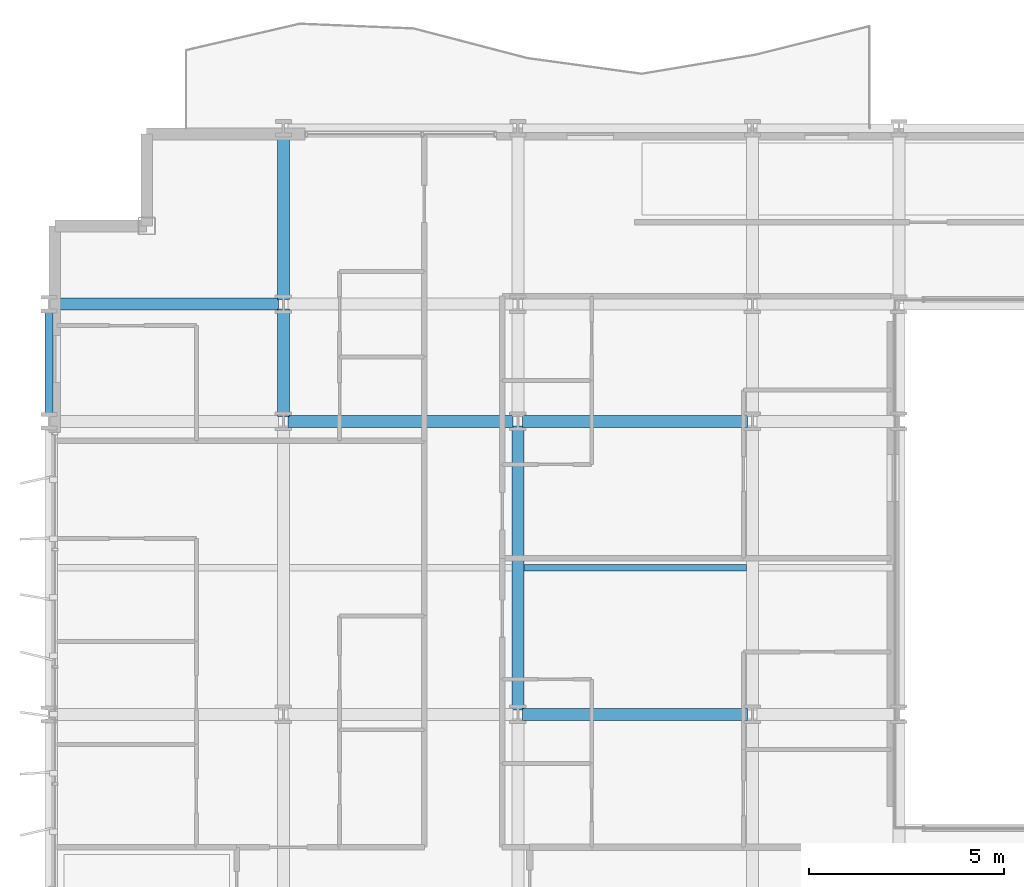
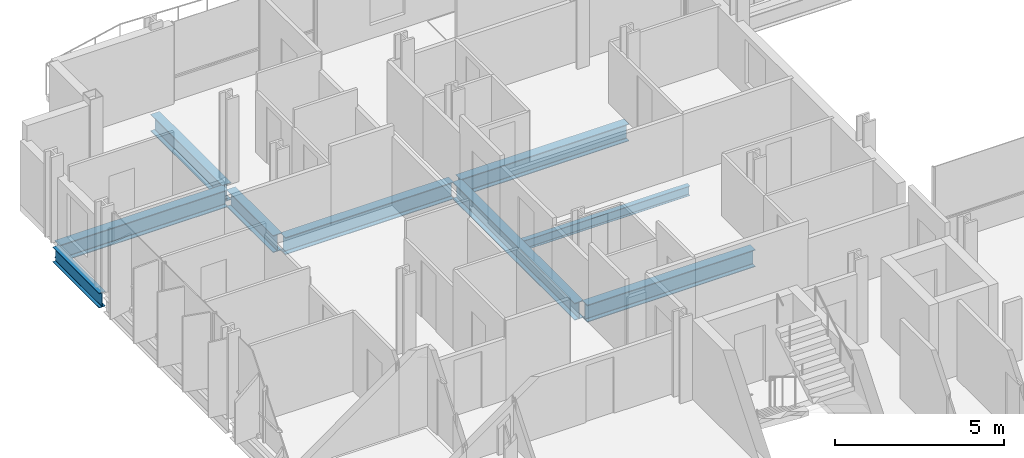
# One storey, part 6 of 38: 9 beams.
"""IFC4 building model written with IfcOpenShell, lengths in metres."""

from ifc_helpers import new_model, si_unit, direction, frame, origin, origin_2d, place, context, subcontext, project, spatial, i_section, extrude, material, material_profile, profile_set, type_object, element, save


model = new_model("IFC4")

# Units and contexts
model_context = context("Model", 3, precision=1e-05, world=origin(), true_north=direction((0.0, 1.0)))
body_context = subcontext(model_context, "Body", "Model", "MODEL_VIEW")
ifc_project = project(units=[si_unit("LENGTHUNIT", "METRE"), si_unit("AREAUNIT", "SQUARE_METRE"), si_unit("VOLUMEUNIT", "CUBIC_METRE"), si_unit("PLANEANGLEUNIT", "RADIAN"), si_unit("MASSUNIT", "GRAM", prefix="KILO")], contexts=[model_context])

# Site, building, storey
site_placement = place(None, origin())
site = spatial("IfcSite", under=ifc_project, at=site_placement, CompositionType="ELEMENT")
building_placement = place(site_placement, origin())
building = spatial("IfcBuilding", under=site, at=building_placement, Name="Brevholm Reach", CompositionType="ELEMENT")
storey_placement = place(building_placement, frame((0.0, 0.0, 46.60009765625)))
storey = spatial("IfcBuildingStorey", under=building, at=storey_placement, Name="L12", CompositionType="ELEMENT", Elevation=46.60009765625)

# Beams
ifc_material_1 = material(Name="Structural Steel S355J2", Category="steel")
ifc_material_profile_1 = material_profile(ifc_material_1, i_section(OverallWidth=0.17138671875, OverallDepth=0.35498046875, WebThickness=0.00732421875, FlangeThickness=0.011474609375, FilletRadius=0.01025390625, at=origin_2d()), Name="UKB 356x171x51")
ifc_profile_set_1 = profile_set([ifc_material_profile_1], Name="Structural Steel S355J2")
beam_type_1 = type_object("IfcBeamType", Name="BM-B356", PredefinedType="BEAM", material=ifc_profile_set_1)
beam_1_placement = place(storey_placement, frame((12.153564453125, 19.75, -0.40771484375), z_axis=(1.0, 0.0, 0.0), x_axis=(0.0, 1.0, 0.0)))
element("IfcBeam", 1, at=beam_1_placement, inside=storey, type_object=beam_type_1, Name="L12 Composite Secondary Floor Beam", PredefinedType="BEAM", context=body_context, shape_type="SweptSolid", body=[
    extrude(i_section(OverallWidth=0.17138671875, OverallDepth=0.35498046875, WebThickness=0.00732421875, FlangeThickness=0.011474609375, FilletRadius=0.01025390625, at=origin_2d()), origin(), (0.0, 0.0, 1.0), 5.69287109375),
])
ifc_material_2 = material(Name="Structural Steel S355J2", Category="steel")
ifc_material_profile_2 = material_profile(ifc_material_2, i_section(OverallWidth=0.210693359375, OverallDepth=0.53955078125, WebThickness=0.01171875, FlangeThickness=0.018798828125, FilletRadius=0.0126953125, at=origin_2d()), Name="UKB 533x210x109")
ifc_profile_set_2 = profile_set([ifc_material_profile_2], Name="Structural Steel S355J2")
beam_type_2 = type_object("IfcBeamType", Name="BM-SP539", PredefinedType="SPANDREL", material=ifc_profile_set_2)
beam_2_placement = place(storey_placement, frame((0.0, 23.6201171875, -0.499755859375), z_axis=(0.0, 1.0, 0.0), x_axis=(-1.0, 0.0, 0.0)))
element("IfcBeam", 2, at=beam_2_placement, inside=storey, type_object=beam_type_2, Name="L12 SP-01B Framing Beam", PredefinedType="SPANDREL", context=body_context, shape_type="SweptSolid", body=[
    extrude(i_section(OverallWidth=0.210693359375, OverallDepth=0.53955078125, WebThickness=0.01171875, FlangeThickness=0.018798828125, FilletRadius=0.0126953125, at=origin_2d()), origin(), (0.0, 0.0, 1.0), 2.759765625),
])
ifc_material_3 = material(Name="Structural Steel S355J2", Category="steel")
ifc_material_profile_3 = material_profile(ifc_material_3, i_section(OverallWidth=0.30712890625, OverallDepth=0.6201171875, WebThickness=0.01416015625, FlangeThickness=0.023681640625, FilletRadius=0.0166015625, at=origin_2d()), Name="UKB 610x305x179")
ifc_profile_set_3 = profile_set([ifc_material_profile_3], Name="Structural Steel S355J2")
beam_type_3 = type_object("IfcBeamType", Name="BM-UKB610H", PredefinedType="USERDEFINED", material=ifc_profile_set_3)
for number, where, z_axis, x_axis, name in (
    (3, (12.1201171875, 16.0, -0.540283203125), (1.0, 0.0, 0.0), (0.0, 1.0, 0.0), "L12 G-06 Framing Beam"),
    (4, (6.1201171875, 23.5, -0.540283203125), (1.0, 0.0, 0.0), (0.0, 1.0, 0.0), "L12 G-06 Framing Beam"),
    (5, (12.1201171875, 23.5, -0.540283203125), (1.0, 0.0, 0.0), (0.0, 1.0, 0.0), "L12 G-06 Framing Beam"),
    (6, (0.1201171875, 26.5, -0.540283203125), (1.0, 0.0, 0.0), (0.0, 1.0, 0.0), "L12 G-06 Framing Beam"),
):
    element("IfcBeam", number, at=place(storey_placement, frame(where, z_axis=z_axis, x_axis=x_axis)), inside=storey, type_object=beam_type_3, Name=name, ObjectType="GIRDER", PredefinedType="USERDEFINED", context=body_context, shape_type="SweptSolid", body=[
        extrude(i_section(OverallWidth=0.30712890625, OverallDepth=0.6201171875, WebThickness=0.01416015625, FlangeThickness=0.023681640625, FilletRadius=0.0166015625, at=origin_2d()), origin(), (0.0, 0.0, 1.0), 5.759765625),
    ])
beam_3_placement = place(storey_placement, frame((6.0, 23.6201171875, -0.540283203125), z_axis=(0.0, 1.0, 0.0), x_axis=(-1.0, 0.0, 0.0)))
element("IfcBeam", 7, at=beam_3_placement, inside=storey, type_object=beam_type_3, Name="L12 G-06 Framing Beam", ObjectType="GIRDER", PredefinedType="USERDEFINED", context=body_context, shape_type="SweptSolid", body=[
    extrude(i_section(OverallWidth=0.30712890625, OverallDepth=0.6201171875, WebThickness=0.01416015625, FlangeThickness=0.023681640625, FilletRadius=0.0166015625, at=origin_2d()), origin(), (0.0, 0.0, 1.0), 2.759765625),
])
beam_4_placement = place(storey_placement, frame((6.0, 26.6201171875, -0.540283203125), z_axis=(0.0, 1.0, 0.0), x_axis=(-1.0, 0.0, 0.0)))
element("IfcBeam", 8, at=beam_4_placement, inside=storey, type_object=beam_type_3, Name="L12 G-06 Framing Beam", ObjectType="GIRDER", PredefinedType="USERDEFINED", context=body_context, shape_type="SweptSolid", body=[
    extrude(i_section(OverallWidth=0.30712890625, OverallDepth=0.6201171875, WebThickness=0.01416015625, FlangeThickness=0.023681640625, FilletRadius=0.0166015625, at=origin_2d()), origin(), (0.0, 0.0, 1.0), 4.259765625),
])
beam_5_placement = place(storey_placement, frame((12.0, 16.1201171875, -0.540283203125), z_axis=(0.0, 1.0, 0.0), x_axis=(-1.0, 0.0, 0.0)))
element("IfcBeam", 9, at=beam_5_placement, inside=storey, type_object=beam_type_3, Name="L12 G-06 Framing Beam", ObjectType="GIRDER", PredefinedType="USERDEFINED", context=body_context, shape_type="SweptSolid", body=[
    extrude(i_section(OverallWidth=0.30712890625, OverallDepth=0.6201171875, WebThickness=0.01416015625, FlangeThickness=0.023681640625, FilletRadius=0.0166015625, at=origin_2d()), origin(), (0.0, 0.0, 1.0), 7.259765625),
])

save(model, "model.ifc")
